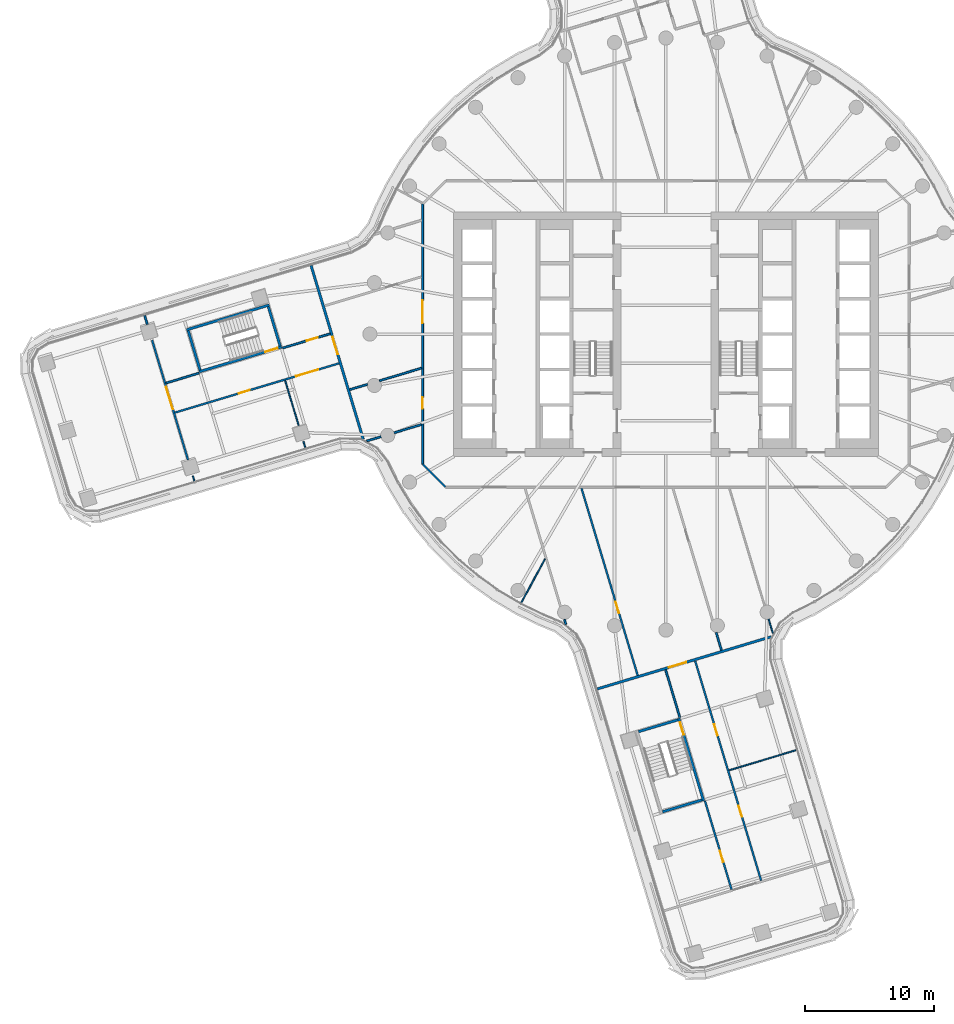
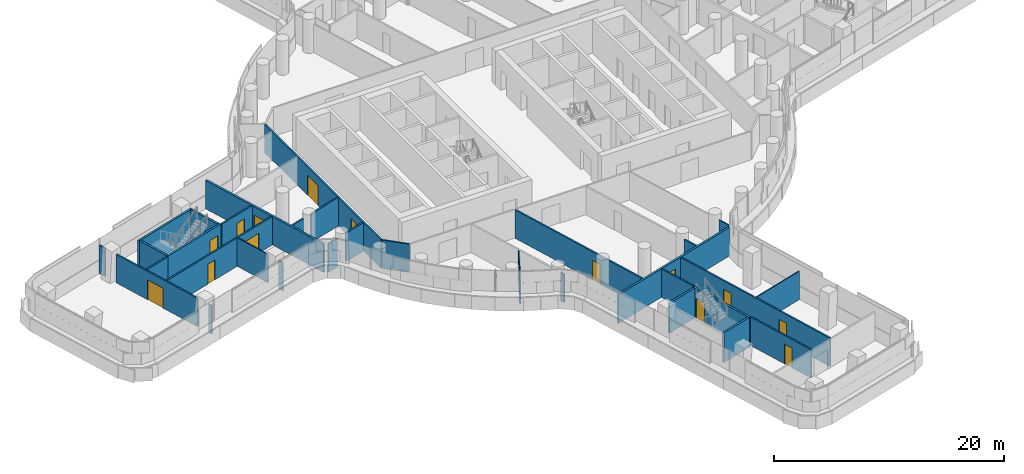
# One storey, part 18 of 32: 32 walls, 14 doors, 14 openings.
"""IFC4 building model written with IfcOpenShell, lengths in metres."""

import ifcopenshell
import ifcopenshell.guid

model = None  # the IFC model being written
_history = None  # IfcOwnerHistory: only IFC2X3 demands one
_inside = {}  # id of a spatial element -> (the spatial element, [elements in it])
_under = {}  # id of a project, library or spatial element -> (it, [spatial elements below it])
_declared = {}  # id of a project -> (the project, [libraries it declares])
_typed = {}  # id of a type object -> (the type object, [elements of that type])
_made_of = {}  # id of a material, layer set ... -> (it, [elements and type objects made of it])


def new_model(schema):
    """Start an empty IFC model of exactly this schema.

    Asked for "IFC4X3", IfcOpenShell would pick the latest addendum, in which some entities
    have other attributes; the version numbers below select the first issue.
    IFC2X3 requires an IfcOwnerHistory on every rooted entity: one is made here for all.
    """
    global model, _history
    if schema == "IFC4X3":
        model = ifcopenshell.file(schema_version=(4, 3, 0, 0))
    else:
        model = ifcopenshell.file(schema=schema)
    _inside.clear()
    _under.clear()
    _declared.clear()
    _typed.clear()
    _made_of.clear()
    _history = None
    if model.schema == "IFC2X3":
        org = make("IfcOrganization", Name="unknown")
        user = make(
            "IfcPersonAndOrganization",
            ThePerson=make("IfcPerson", FamilyName="unknown"),
            TheOrganization=org,
        )
        app = make(
            "IfcApplication",
            ApplicationDeveloper=org,
            Version="unknown",
            ApplicationFullName="unknown",
            ApplicationIdentifier="unknown",
        )
        _history = make(
            "IfcOwnerHistory",
            OwningUser=user,
            OwningApplication=app,
            ChangeAction="ADDED",
            CreationDate=0,
        )
    return model


def make(cls, **values):
    """One entity of the class cls with the attributes given. An attribute that is None is left unset."""
    return model.create_entity(
        cls, **{name: value for name, value in values.items() if value is not None}
    )


def rooted(cls, **values):
    """An entity with a GlobalId (a new one), such as an element, a storey or a relation."""
    return make(cls, GlobalId=ifcopenshell.guid.new(), OwnerHistory=_history, **values)


def si_unit(unit_type, name, prefix=None):
    """IfcSIUnit, for example si_unit("LENGTHUNIT", "METRE", prefix="MILLI")."""
    return make("IfcSIUnit", UnitType=unit_type, Prefix=prefix, Name=name)


def assignment(units):
    """IfcUnitAssignment: the units of a project."""
    return None if units is None else make("IfcUnitAssignment", Units=units)


def point(xyz):
    """IfcCartesianPoint."""
    return None if xyz is None else make("IfcCartesianPoint", Coordinates=xyz)


def direction(xyz):
    """IfcDirection."""
    return None if xyz is None else make("IfcDirection", DirectionRatios=xyz)


def frame(location, z_axis=None, x_axis=None):
    """IfcAxis2Placement3D, a coordinate frame: its origin and axes. An axis left out is left unset."""
    return make(
        "IfcAxis2Placement3D",
        Location=point(location),
        Axis=direction(z_axis),
        RefDirection=direction(x_axis),
    )


def frame_2d(location, x_axis=None):
    """IfcAxis2Placement2D, a coordinate frame in the plane: its origin and x axis."""
    return make(
        "IfcAxis2Placement2D", Location=point(location), RefDirection=direction(x_axis)
    )


def origin():
    """The frame at (0, 0, 0) with its axes left unset."""
    return frame((0.0, 0.0, 0.0))


def place(relative_to, where):
    """IfcLocalPlacement: puts the frame where relative to a parent placement (None: the world)."""
    return make(
        "IfcLocalPlacement", PlacementRelTo=relative_to, RelativePlacement=where
    )


def context(
    kind, dimensions, precision=None, world=None, true_north=None, identifier=None
):
    """IfcGeometricRepresentationContext, for example the 3D "Model" context."""
    return make(
        "IfcGeometricRepresentationContext",
        ContextIdentifier=identifier,
        ContextType=kind,
        CoordinateSpaceDimension=dimensions,
        Precision=precision,
        WorldCoordinateSystem=world,
        TrueNorth=true_north,
    )


def subcontext(parent, identifier, kind, view, scale=None):
    """IfcGeometricRepresentationSubContext, for example "Body" below "Model"."""
    return make(
        "IfcGeometricRepresentationSubContext",
        ContextIdentifier=identifier,
        ContextType=kind,
        ParentContext=parent,
        TargetScale=scale,
        TargetView=view,
    )


def project(units=None, contexts=None):
    """IfcProject with its units and contexts."""
    return rooted(
        "IfcProject",
        Name="project",
        RepresentationContexts=contexts,
        UnitsInContext=assignment(units),
    )


def spatial(cls, under=None, at=None, **own):
    """A site, building, storey or space (cls), placed at a placement, below another one or the project."""
    s = rooted(cls, ObjectPlacement=at, **own)
    if under is not None:
        _under.setdefault(under.id(), (under, []))[1].append(s)
    return s


def polyline(points):
    """IfcPolyline through the points."""
    return make("IfcPolyline", Points=[point(p) for p in points])


def profile(cls, at=None, kind="AREA", **sizes):
    """A parametric profile (cls). Its sizes go by their IFC names, for example OverallWidth=200.0."""
    return make(cls, ProfileType=kind, Position=at, **sizes)


def rectangle(**sizes):
    """IfcRectangleProfileDef."""
    return profile("IfcRectangleProfileDef", **sizes)


def outline(outer, holes=None, kind="AREA"):
    """IfcArbitraryClosedProfileDef: a profile drawn as a closed curve; with holes, ...WithVoids."""
    if holes is None:
        return make("IfcArbitraryClosedProfileDef", ProfileType=kind, OuterCurve=outer)
    return make(
        "IfcArbitraryProfileDefWithVoids",
        ProfileType=kind,
        OuterCurve=outer,
        InnerCurves=holes,
    )


def extrude(swept, where, along, depth):
    """IfcExtrudedAreaSolid: the profile swept, set in the frame where, extruded along a direction by depth."""
    return make(
        "IfcExtrudedAreaSolid",
        SweptArea=swept,
        Position=where,
        ExtrudedDirection=direction(along),
        Depth=depth,
    )


def shape(context_of_items, identifier, shape_type, items):
    """IfcShapeRepresentation: the items that make up one representation, for example the "Body"."""
    return make(
        "IfcShapeRepresentation",
        ContextOfItems=context_of_items,
        RepresentationIdentifier=identifier,
        RepresentationType=shape_type,
        Items=items,
    )


def material(Name=None, Category=None):
    """IfcMaterial."""
    return make("IfcMaterial", Name=Name, Category=Category)


def layer(
    of_material, thickness, ventilated=None, Name=None, Category=None, Priority=None
):
    """IfcMaterialLayer: one layer of a wall or slab, of a material (None: an air gap)."""
    return make(
        "IfcMaterialLayer",
        Material=of_material,
        LayerThickness=thickness,
        IsVentilated=ventilated,
        Name=Name,
        Category=Category,
        Priority=Priority,
    )


def layer_set(layers, Name=None):
    """IfcMaterialLayerSet."""
    return make("IfcMaterialLayerSet", MaterialLayers=layers, LayerSetName=Name)


def made_of(thing, what):
    """Note that an element or type object is made of a material, layer set ...; save() writes the relation."""
    if what is not None:
        _made_of.setdefault(what.id(), (what, []))[1].append(thing)
    return thing


def type_object(cls, material=None, **own):
    """A type object (cls), such as IfcWallType, which elements share."""
    return made_of(rooted(cls, **own), material)


def element(
    cls,
    number,
    at=None,
    inside=None,
    cuts=None,
    type_object=None,
    material=None,
    context=None,
    identifier="Body",
    shape_type=None,
    held_by="IfcProductDefinitionShape",
    body=None,
    shapes=None,
    **own,
):
    """One element of the class cls, such as IfcWall. Its Tag is "e" and its number.

    at: its placement. inside: the storey or other place that contains it. cuts: it is an
    opening in that element (IfcRelVoidsElement). A single representation is given by context,
    identifier, shape_type and body (its items); several are given by shapes. held_by: the class
    of the entity that holds the representations. save() writes the other relations.
    """
    e = rooted(cls, Tag="e%d" % number, ObjectPlacement=at, **own)
    if body is not None:
        shapes = [shape(context, identifier, shape_type, body)]
    if shapes is not None:
        e.Representation = make(held_by, Representations=shapes)
    if inside is not None:
        _inside.setdefault(inside.id(), (inside, []))[1].append(e)
    if cuts is not None:
        rooted(
            "IfcRelVoidsElement", RelatingBuildingElement=cuts, RelatedOpeningElement=e
        )
    if type_object is not None:
        _typed.setdefault(type_object.id(), (type_object, []))[1].append(e)
    return made_of(e, material)


def fill(opening, filler):
    """IfcRelFillsElement: the door or window that sits in an opening."""
    return rooted(
        "IfcRelFillsElement",
        RelatingOpeningElement=opening,
        RelatedBuildingElement=filler,
    )


def aggregate(whole, parts):
    """IfcRelAggregates: a whole, such as a stair, and the parts it consists of."""
    return rooted("IfcRelAggregates", RelatingObject=whole, RelatedObjects=parts)


def save(model, path):
    """Write the relations noted so far, then the file.

    IfcRelAggregates (storeys below a building ...), IfcRelContainedInSpatialStructure (elements
    in a storey), IfcRelDefinesByType, IfcRelAssociatesMaterial and IfcRelDeclares: one each for
    every whole, place, type object, material and project.
    """
    for whole, parts in _under.values():
        aggregate(whole, parts)
    for where, things in _inside.values():
        rooted(
            "IfcRelContainedInSpatialStructure",
            RelatedElements=things,
            RelatingStructure=where,
        )
    for kind, things in _typed.values():
        rooted("IfcRelDefinesByType", RelatedObjects=things, RelatingType=kind)
    for what, things in _made_of.values():
        rooted("IfcRelAssociatesMaterial", RelatedObjects=things, RelatingMaterial=what)
    for by, libraries in _declared.values():
        rooted("IfcRelDeclares", RelatingContext=by, RelatedDefinitions=libraries)
    model.write(path)


model = new_model("IFC4")

# Units and contexts
model_context = context("Model", 3, precision=1e-05, world=origin(), true_north=direction((0.0, 1.0)))
body_context = subcontext(model_context, "Body", "Model", "MODEL_VIEW")
ifc_project = project(units=[si_unit("LENGTHUNIT", "METRE"), si_unit("AREAUNIT", "SQUARE_METRE"), si_unit("VOLUMEUNIT", "CUBIC_METRE"), si_unit("PLANEANGLEUNIT", "RADIAN"), si_unit("MASSUNIT", "GRAM", prefix="KILO")], contexts=[model_context])

# Site, building, storey
site_placement = place(None, origin())
site = spatial("IfcSite", under=ifc_project, at=site_placement, CompositionType="ELEMENT")
building_placement = place(site_placement, origin())
building = spatial("IfcBuilding", under=site, at=building_placement, Name="Tamarind Cross Interchange Tower", CompositionType="ELEMENT")
storey_placement = place(building_placement, frame((0.0, 0.0, 94.75)))
storey = spatial("IfcBuildingStorey", under=building, at=storey_placement, Name="L22", CompositionType="ELEMENT", Elevation=94.75)

# Walls
ifc_material_1 = material(Name="Gypsum board partition on steel studs", Category="steel")
ifc_layer_1 = layer(ifc_material_1, 0.10009765625)
ifc_layer_set_1 = layer_set([ifc_layer_1], Name="Gypsum board partition on steel studs")
wall_type_1 = type_object("IfcWallType", Name="Partition 100 mm EI 90", PredefinedType="PARTITIONING", material=ifc_layer_set_1)
wall_1_placement = place(storey_placement, frame((-36.756103515625, -11.01318359375, 0.0), z_axis=(0.0, 0.0, 1.0), x_axis=(0.287623316903, -0.957743612651, 0.0)))
element("IfcWall", 1, at=wall_1_placement, inside=storey, type_object=wall_type_1, Name="Partition L22-003", PredefinedType="PARTITIONING", context=body_context, shape_type="SweptSolid", body=[
    extrude(rectangle(XDim=0.406494140625, YDim=0.10009765625, at=frame_2d((0.203125, 0.0))), origin(), (0.0, 0.0, 1.0), 3.010009765625),
])
wall_2_placement = place(storey_placement, frame((-29.58251953125, -3.60888671875, 0.0), z_axis=(0.0, 0.0, 1.0), x_axis=(0.28774049109, -0.957708415849, 0.0)))
element("IfcWall", 2, at=wall_2_placement, inside=storey, type_object=wall_type_1, Name="Partition L22-004", PredefinedType="PARTITIONING", context=body_context, shape_type="SweptSolid", body=[
    extrude(rectangle(XDim=3.65087890625, YDim=0.10009765625, at=frame_2d((1.825439453125, 0.0))), origin(), (0.0, 0.0, 1.0), 3.010009765625),
])
wall_3_placement = place(storey_placement, frame((-28.15966796875, -8.345703125, 0.0), z_axis=(0.0, 0.0, 1.0), x_axis=(0.287884112335, -0.957665253554, 0.0)))
element("IfcWall", 3, at=wall_3_placement, inside=storey, type_object=wall_type_1, Name="Partition L22-005", PredefinedType="PARTITIONING", context=body_context, shape_type="SweptSolid", body=[
    extrude(rectangle(XDim=0.501220703125, YDim=0.10009765625, at=frame_2d((0.25048828125, 0.0))), origin(), (0.0, 0.0, 1.0), 3.010009765625),
])
wall_4_placement = place(storey_placement, frame((7.978271484375, -22.14306640625, 0.0), z_axis=(0.0, 0.0, 1.0), x_axis=(0.287640433477, -0.957738472146, 0.0)))
element("IfcWall", 4, at=wall_4_placement, inside=storey, type_object=wall_type_1, Name="Partition L22-026", PredefinedType="PARTITIONING", context=body_context, shape_type="SweptSolid", body=[
    extrude(rectangle(XDim=1.1484375, YDim=0.10009765625, at=frame_2d((0.57421875, 0.0))), origin(), (0.0, 0.0, 1.0), 3.010009765625),
])
wall_5_placement = place(storey_placement, frame((4.90283203125, -33.892333984375, 0.0), z_axis=(0.0, 0.0, 1.0), x_axis=(0.957737328028, 0.287644242949, 0.0)))
element("IfcWall", 5, at=wall_5_placement, inside=storey, type_object=wall_type_1, Name="Partition L22-067", PredefinedType="PARTITIONING", context=body_context, shape_type="SweptSolid", body=[
    extrude(rectangle(XDim=5.44140625, YDim=0.10009765625, at=frame_2d((2.720703125, 0.0))), origin(), (0.0, 0.0, 1.0), 3.010009765625),
])
wall_6_placement = place(storey_placement, frame((-11.2265625, -20.8642578125, 0.0), z_axis=(0.0, 0.0, 1.0), x_axis=(0.473926336856, 0.880564493512, 0.0)))
element("IfcWall", 6, at=wall_6_placement, inside=storey, type_object=wall_type_1, Name="Partition L22-079", PredefinedType="PARTITIONING", context=body_context, shape_type="SweptSolid", body=[
    extrude(rectangle(XDim=3.860595703125, YDim=0.10009765625, at=frame_2d((1.93017578125, 0.0))), origin(), (0.0, 0.0, 1.0), 3.010009765625),
])
ifc_layer_2 = layer(ifc_material_1, 0.14990234375)
ifc_layer_set_2 = layer_set([ifc_layer_2], Name="Gypsum board partition on steel studs")
wall_type_2 = type_object("IfcWallType", Name="Partition 150 mm EI 120", PredefinedType="PARTITIONING", material=ifc_layer_set_2)
wall_7_placement = place(storey_placement, frame((-40.49560546875, 1.439697265625, 0.0), z_axis=(0.0, 0.0, 1.0), x_axis=(0.28766279942, -0.957731754632, 0.0)))
element("IfcWall", 7, at=wall_7_placement, inside=storey, type_object=wall_type_2, Name="Partition L22-001", PredefinedType="PARTITIONING", context=body_context, shape_type="SweptSolid", body=[
    extrude(rectangle(XDim=0.711181640625, YDim=0.14990234375, at=frame_2d((0.35546875, 0.0))), origin(), (0.0, 0.0, 1.0), 3.010009765625),
])

# Wall, opening, door
wall_8_placement = place(storey_placement, frame((-39.918701171875, -0.481689453125, 0.0), z_axis=(0.0, 0.0, 1.0), x_axis=(0.287622622208, -0.957743821277, 0.0)))
wall_8 = element("IfcWall", 8, at=wall_8_placement, inside=storey, type_object=wall_type_2, Name="Partition L22-002", PredefinedType="PARTITIONING", context=body_context, shape_type="SweptSolid", body=[
    extrude(rectangle(XDim=9.701171875, YDim=0.14990234375, at=frame_2d((4.8505859375, 0.0))), origin(), (0.0, 0.0, 1.0), 3.010009765625),
])
opening_1_placement = place(wall_8_placement, frame((3.79296875, 0.0, 0.0)))
opening_1 = element("IfcOpeningElement", 9, at=opening_1_placement, cuts=wall_8, Name="Opening D01", PredefinedType="OPENING", context=body_context, shape_type="SweptSolid", body=[
    extrude(rectangle(XDim=1.800048828125, YDim=2.10009765625, at=frame_2d((0.89990234375, 1.050048828125))), frame((0.0, 0.0849609375, 0.0), z_axis=(0.0, -1.0, 0.0), x_axis=(1.0, 0.0, 0.0)), (0.0, 0.0, 1.0), 0.169921875),
])
ifc_material_2 = material(Name="Fire-resisting door set")
door_type_1 = type_object("IfcDoorType", Name="Interior door 1800 x 2100 FD60S", OperationType="DOUBLE_DOOR_SINGLE_SWING", PredefinedType="DOOR", material=ifc_material_2)
door_1_placement = place(opening_1_placement, frame((1.800048828125, 0.0, 0.0), z_axis=(0.0, 0.0, 1.0), x_axis=(-1.0, 0.0, 0.0)))
door_1 = element("IfcDoor", 10, at=door_1_placement, inside=storey, type_object=door_type_1, Name="Door D01", OperationType="DOUBLE_DOOR_SINGLE_SWING", OverallHeight=2.10009765625, OverallWidth=1.800048828125, PredefinedType="DOOR", context=body_context, shape_type="SweptSolid", body=[
    extrude(rectangle(XDim=1.800048828125, YDim=2.10009765625, at=frame_2d((0.89990234375, 1.050048828125))), frame((0.0, 0.02490234375, 0.0), z_axis=(0.0, -1.0, 0.0), x_axis=(1.0, 0.0, 0.0)), (0.0, 0.0, 1.0), 0.050048828125),
])
fill(opening_1, door_1)

# Wall
wall_9_placement = place(storey_placement, frame((-7.884521484375, -22.168212890625, 0.0), z_axis=(0.0, 0.0, 1.0), x_axis=(0.288066561197, -0.957610388582, 0.0)))
element("IfcWall", 11, at=wall_9_placement, inside=storey, type_object=wall_type_2, Name="Partition L22-008", PredefinedType="PARTITIONING", context=body_context, shape_type="SweptSolid", body=[
    extrude(rectangle(XDim=0.405029296875, YDim=0.14990234375, at=frame_2d((0.20263671875, 0.0))), origin(), (0.0, 0.0, 1.0), 3.010009765625),
])

# Wall, opening, door
wall_10_placement = place(storey_placement, frame((-6.56005859375, -11.9765625, 0.0), z_axis=(0.0, 0.0, 1.0), x_axis=(0.28763547446, -0.957739961489, 0.0)))
wall_10 = element("IfcWall", 12, at=wall_10_placement, inside=storey, type_object=wall_type_2, Name="Partition L22-013", PredefinedType="PARTITIONING", context=body_context, shape_type="SweptSolid", body=[
    extrude(rectangle(XDim=15.1865234375, YDim=0.14990234375, at=frame_2d((7.59326171875, 0.0))), origin(), (0.0, 0.0, 1.0), 3.010009765625),
])
opening_2_placement = place(wall_10_placement, frame((9.219970703125, 0.0, 0.0)))
opening_2 = element("IfcOpeningElement", 13, at=opening_2_placement, cuts=wall_10, Name="Opening D08", PredefinedType="OPENING", context=body_context, shape_type="SweptSolid", body=[
    extrude(rectangle(XDim=0.89990234375, YDim=2.10009765625, at=frame_2d((0.449951171875, 1.050048828125))), frame((0.0, 0.0849609375, 0.0), z_axis=(0.0, -1.0, 0.0), x_axis=(1.0, 0.0, 0.0)), (0.0, 0.0, 1.0), 0.169921875),
])
door_type_2 = type_object("IfcDoorType", Name="Interior door 900 x 2100 FD60S", OperationType="SINGLE_SWING_LEFT", PredefinedType="DOOR", material=ifc_material_2)
door_2_placement = place(opening_2_placement, frame((0.89990234375, 0.0, 0.0), z_axis=(0.0, 0.0, 1.0), x_axis=(-1.0, 0.0, 0.0)))
door_2 = element("IfcDoor", 14, at=door_2_placement, inside=storey, type_object=door_type_2, Name="Door D08", OperationType="SINGLE_SWING_RIGHT", OverallHeight=2.10009765625, OverallWidth=0.89990234375, PredefinedType="DOOR", context=body_context, shape_type="SweptSolid", body=[
    extrude(rectangle(XDim=0.89990234375, YDim=2.10009765625, at=frame_2d((0.449951171875, 1.050048828125))), frame((0.0, 0.02490234375, 0.0), z_axis=(0.0, -1.0, 0.0), x_axis=(1.0, 0.0, 0.0)), (0.0, 0.0, 1.0), 0.050048828125),
])
fill(opening_2, door_2)

# Wall
wall_11_placement = place(storey_placement, frame((-0.027099609375, -26.080810546875, 0.0), z_axis=(0.0, 0.0, 1.0), x_axis=(0.287580023967, -0.957756613036, 0.0)))
element("IfcWall", 15, at=wall_11_placement, inside=storey, type_object=wall_type_2, Name="Partition L22-018", PredefinedType="PARTITIONING", context=body_context, shape_type="SweptSolid", body=[
    extrude(rectangle(XDim=3.859375, YDim=0.14990234375, at=frame_2d((1.9296875, 0.0))), origin(), (0.0, 0.0, 1.0), 3.010009765625),
])

# Wall, opening, door
wall_12_placement = place(storey_placement, frame((3.03271484375, -36.270751953125, 0.0), z_axis=(0.0, 0.0, 1.0), x_axis=(0.287562973768, -0.957761732435, 0.0)))
wall_12 = element("IfcWall", 16, at=wall_12_placement, inside=storey, type_object=wall_type_2, Name="Partition L22-019", PredefinedType="PARTITIONING", context=body_context, shape_type="SweptSolid", body=[
    extrude(rectangle(XDim=7.18505859375, YDim=0.14990234375, at=frame_2d((3.592529296875, 0.0))), origin(), (0.0, 0.0, 1.0), 3.010009765625),
])
opening_3_placement = place(wall_12_placement, frame((4.050048828125, 0.0, 0.0)))
opening_3 = element("IfcOpeningElement", 17, at=opening_3_placement, cuts=wall_12, Name="Opening D14", PredefinedType="OPENING", context=body_context, shape_type="SweptSolid", body=[
    extrude(rectangle(XDim=0.89990234375, YDim=2.10009765625, at=frame_2d((0.449951171875, 1.050048828125))), frame((0.0, 0.0849609375, 0.0), z_axis=(0.0, -1.0, 0.0), x_axis=(1.0, 0.0, 0.0)), (0.0, 0.0, 1.0), 0.169921875),
])
door_3_placement = place(opening_3_placement, frame((0.89990234375, 0.0, 0.0), z_axis=(0.0, 0.0, 1.0), x_axis=(-1.0, 0.0, 0.0)))
door_3 = element("IfcDoor", 18, at=door_3_placement, inside=storey, type_object=door_type_2, Name="Door D14", OperationType="SINGLE_SWING_RIGHT", OverallHeight=2.10009765625, OverallWidth=0.89990234375, PredefinedType="DOOR", context=body_context, shape_type="SweptSolid", body=[
    extrude(rectangle(XDim=0.89990234375, YDim=2.10009765625, at=frame_2d((0.449951171875, 1.050048828125))), frame((0.0, 0.02490234375, 0.0), z_axis=(0.0, -1.0, 0.0), x_axis=(1.0, 0.0, 0.0)), (0.0, 0.0, 1.0), 0.050048828125),
])
fill(opening_3, door_3)

# Wall
wall_13_placement = place(storey_placement, frame((3.906494140625, -23.18701171875, 0.0), z_axis=(0.0, 0.0, 1.0), x_axis=(0.287581360313, -0.957756211779, 0.0)))
element("IfcWall", 19, at=wall_13_placement, inside=storey, type_object=wall_type_2, Name="Partition L22-021", PredefinedType="PARTITIONING", context=body_context, shape_type="SweptSolid", body=[
    extrude(rectangle(XDim=1.43896484375, YDim=0.14990234375, at=frame_2d((0.719482421875, 0.0))), origin(), (0.0, 0.0, 1.0), 3.010009765625),
])

# Wall, openings, doors
wall_14_placement = place(storey_placement, frame((2.272216796875, -25.39453125, 0.0), z_axis=(0.0, 0.0, 1.0), x_axis=(0.287649599152, -0.957735719344, 0.0)))
wall_14 = element("IfcWall", 20, at=wall_14_placement, inside=storey, type_object=wall_type_2, Name="Partition L22-023", PredefinedType="PARTITIONING", context=body_context, shape_type="SweptSolid", body=[
    extrude(rectangle(XDim=17.81591796875, YDim=0.14990234375, at=frame_2d((8.907958984375, 0.0))), origin(), (0.0, 0.0, 1.0), 3.010009765625),
])
opening_4_placement = place(wall_14_placement, frame((5.14501953125, 0.0, 0.0)))
opening_4 = element("IfcOpeningElement", 21, at=opening_4_placement, cuts=wall_14, Name="Opening D17", PredefinedType="OPENING", context=body_context, shape_type="SweptSolid", body=[
    extrude(rectangle(XDim=0.89990234375, YDim=2.10009765625, at=frame_2d((0.449951171875, 1.050048828125))), frame((0.0, 0.0849609375, 0.0), z_axis=(0.0, -1.0, 0.0), x_axis=(1.0, 0.0, 0.0)), (0.0, 0.0, 1.0), 0.169921875),
])
opening_5_placement = place(wall_14_placement, frame((11.745361328125, 0.0, 0.0)))
opening_5 = element("IfcOpeningElement", 22, at=opening_5_placement, cuts=wall_14, Name="Opening D18", PredefinedType="OPENING", context=body_context, shape_type="SweptSolid", body=[
    extrude(rectangle(XDim=0.89990234375, YDim=2.10009765625, at=frame_2d((0.449951171875, 1.050048828125))), frame((0.0, 0.0849609375, 0.0), z_axis=(0.0, -1.0, 0.0), x_axis=(1.0, 0.0, 0.0)), (0.0, 0.0, 1.0), 0.169921875),
])
door_4_placement = place(opening_4_placement, origin())
door_4 = element("IfcDoor", 23, at=door_4_placement, inside=storey, type_object=door_type_2, Name="Door D17", OperationType="SINGLE_SWING_RIGHT", OverallHeight=2.10009765625, OverallWidth=0.89990234375, PredefinedType="DOOR", context=body_context, shape_type="SweptSolid", body=[
    extrude(rectangle(XDim=0.89990234375, YDim=2.10009765625, at=frame_2d((0.449951171875, 1.050048828125))), frame((0.0, 0.02490234375, 0.0), z_axis=(0.0, -1.0, 0.0), x_axis=(1.0, 0.0, 0.0)), (0.0, 0.0, 1.0), 0.050048828125),
])
fill(opening_4, door_4)
door_5_placement = place(opening_5_placement, origin())
door_5 = element("IfcDoor", 24, at=door_5_placement, inside=storey, type_object=door_type_2, Name="Door D18", OperationType="SINGLE_SWING_LEFT", OverallHeight=2.10009765625, OverallWidth=0.89990234375, PredefinedType="DOOR", context=body_context, shape_type="SweptSolid", body=[
    extrude(rectangle(XDim=0.89990234375, YDim=2.10009765625, at=frame_2d((0.449951171875, 1.050048828125))), frame((0.0, 0.02490234375, 0.0), z_axis=(0.0, -1.0, 0.0), x_axis=(1.0, 0.0, 0.0)), (0.0, 0.0, 1.0), 0.050048828125),
])
fill(opening_5, door_5)

# Walls
wall_15_placement = place(storey_placement, frame((-18.87158203125, -10.12841796875, 0.0), z_axis=(0.0, 0.0, 1.0), x_axis=(0.707106781187, -0.707106781187, 0.0)))
element("IfcWall", 25, at=wall_15_placement, inside=storey, type_object=wall_type_2, Name="Partition L22-034", PredefinedType="PARTITIONING", context=body_context, shape_type="SweptSolid", body=[
    extrude(rectangle(XDim=2.465087890625, YDim=0.14990234375, at=frame_2d((1.232421875, 0.0))), origin(), (0.0, 0.0, 1.0), 3.010009765625),
])
wall_16_placement = place(storey_placement, frame((-38.84228515625, -3.805419921875, 0.0), z_axis=(0.0, 0.0, 1.0), x_axis=(0.957756189598, 0.287581434184, 0.0)))
element("IfcWall", 26, at=wall_16_placement, inside=storey, type_object=wall_type_2, Name="Partition L22-040", PredefinedType="PARTITIONING", context=body_context, shape_type="SweptSolid", body=[
    extrude(rectangle(XDim=2.685302734375, YDim=0.14990234375, at=frame_2d((1.3427734375, 0.0))), origin(), (0.0, 0.0, 1.0), 3.010009765625),
])

# Wall, opening, door
wall_17_placement = place(storey_placement, frame((-29.777099609375, -1.0830078125, 0.0), z_axis=(0.0, 0.0, 1.0), x_axis=(0.957739187784, 0.287638050651, 0.0)))
wall_17 = element("IfcWall", 27, at=wall_17_placement, inside=storey, type_object=wall_type_2, Name="Partition L22-041", PredefinedType="PARTITIONING", context=body_context, shape_type="SweptSolid", body=[
    extrude(rectangle(XDim=3.859375, YDim=0.14990234375, at=frame_2d((1.9296875, 0.0))), origin(), (0.0, 0.0, 1.0), 3.010009765625),
])
opening_6_placement = place(wall_17_placement, frame((1.949951171875, 0.0, 0.0)))
opening_6 = element("IfcOpeningElement", 28, at=opening_6_placement, cuts=wall_17, Name="Opening D28", PredefinedType="OPENING", context=body_context, shape_type="SweptSolid", body=[
    extrude(rectangle(XDim=0.89990234375, YDim=2.10009765625, at=frame_2d((0.449951171875, 1.050048828125))), frame((0.0, 0.0849609375, 0.0), z_axis=(0.0, -1.0, 0.0), x_axis=(1.0, 0.0, 0.0)), (0.0, 0.0, 1.0), 0.169921875),
])
door_6_placement = place(opening_6_placement, origin())
door_6 = element("IfcDoor", 29, at=door_6_placement, inside=storey, type_object=door_type_2, Name="Door D28", OperationType="SINGLE_SWING_LEFT", OverallHeight=2.10009765625, OverallWidth=0.89990234375, PredefinedType="DOOR", context=body_context, shape_type="SweptSolid", body=[
    extrude(rectangle(XDim=0.89990234375, YDim=2.10009765625, at=frame_2d((0.449951171875, 1.050048828125))), frame((0.0, 0.02490234375, 0.0), z_axis=(0.0, -1.0, 0.0), x_axis=(1.0, 0.0, 0.0)), (0.0, 0.0, 1.0), 0.050048828125),
])
fill(opening_6, door_6)

# Wall, openings, doors
wall_18_placement = place(storey_placement, frame((-38.152099609375, -6.103515625, 0.0), z_axis=(0.0, 0.0, 1.0), x_axis=(0.957764720452, 0.287553021647, 0.0)))
wall_18 = element("IfcWall", 30, at=wall_18_placement, inside=storey, type_object=wall_type_2, Name="Partition L22-042", PredefinedType="PARTITIONING", context=body_context, shape_type="SweptSolid", body=[
    extrude(rectangle(XDim=13.3203125, YDim=0.14990234375, at=frame_2d((6.66015625, 0.0))), origin(), (0.0, 0.0, 1.0), 3.010009765625),
])
opening_7_placement = place(wall_18_placement, frame((5.175048828125, 0.0, 0.0)))
opening_7 = element("IfcOpeningElement", 31, at=opening_7_placement, cuts=wall_18, Name="Opening D29", PredefinedType="OPENING", context=body_context, shape_type="SweptSolid", body=[
    extrude(rectangle(XDim=0.89990234375, YDim=2.10009765625, at=frame_2d((0.449951171875, 1.050048828125))), frame((0.0, 0.0849609375, 0.0), z_axis=(0.0, -1.0, 0.0), x_axis=(1.0, 0.0, 0.0)), (0.0, 0.0, 1.0), 0.169921875),
])
opening_8_placement = place(wall_18_placement, frame((9.8251953125, 0.0, 0.0)))
opening_8 = element("IfcOpeningElement", 32, at=opening_8_placement, cuts=wall_18, Name="Opening D30", PredefinedType="OPENING", context=body_context, shape_type="SweptSolid", body=[
    extrude(rectangle(XDim=1.800048828125, YDim=2.10009765625, at=frame_2d((0.89990234375, 1.050048828125))), frame((0.0, 0.0849609375, 0.0), z_axis=(0.0, -1.0, 0.0), x_axis=(1.0, 0.0, 0.0)), (0.0, 0.0, 1.0), 0.169921875),
])
door_7_placement = place(opening_8_placement, frame((1.800048828125, 0.0, 0.0), z_axis=(0.0, 0.0, 1.0), x_axis=(-1.0, 0.0, 0.0)))
door_7 = element("IfcDoor", 33, at=door_7_placement, inside=storey, type_object=door_type_1, Name="Door D30", OperationType="DOUBLE_DOOR_SINGLE_SWING", OverallHeight=2.10009765625, OverallWidth=1.800048828125, PredefinedType="DOOR", context=body_context, shape_type="SweptSolid", body=[
    extrude(rectangle(XDim=1.800048828125, YDim=2.10009765625, at=frame_2d((0.89990234375, 1.050048828125))), frame((0.0, 0.02490234375, 0.0), z_axis=(0.0, -1.0, 0.0), x_axis=(1.0, 0.0, 0.0)), (0.0, 0.0, 1.0), 0.050048828125),
])
fill(opening_8, door_7)
door_8_placement = place(opening_7_placement, frame((0.89990234375, 0.0, 0.0), z_axis=(0.0, 0.0, 1.0), x_axis=(-1.0, 0.0, 0.0)))
door_8 = element("IfcDoor", 34, at=door_8_placement, inside=storey, type_object=door_type_2, Name="Door D29", OperationType="SINGLE_SWING_LEFT", OverallHeight=2.10009765625, OverallWidth=0.89990234375, PredefinedType="DOOR", context=body_context, shape_type="SweptSolid", body=[
    extrude(rectangle(XDim=0.89990234375, YDim=2.10009765625, at=frame_2d((0.449951171875, 1.050048828125))), frame((0.0, 0.02490234375, 0.0), z_axis=(0.0, -1.0, 0.0), x_axis=(1.0, 0.0, 0.0)), (0.0, 0.0, 1.0), 0.050048828125),
])
fill(opening_7, door_8)

# Walls
wall_19_placement = place(storey_placement, frame((-24.565185546875, -4.3203125, 0.0), z_axis=(0.0, 0.0, 1.0), x_axis=(0.957756211779, 0.287581360313, 0.0)))
element("IfcWall", 35, at=wall_19_placement, inside=storey, type_object=wall_type_2, Name="Partition L22-044", PredefinedType="PARTITIONING", context=body_context, shape_type="SweptSolid", body=[
    extrude(rectangle(XDim=1.43896484375, YDim=0.14990234375, at=frame_2d((0.719482421875, 0.0))), origin(), (0.0, 0.0, 1.0), 3.010009765625),
])
wall_20_placement = place(storey_placement, frame((-22.25341796875, -3.6259765625, 0.0), z_axis=(0.0, 0.0, 1.0), x_axis=(0.957759484512, 0.287570460631, 0.0)))
element("IfcWall", 36, at=wall_20_placement, inside=storey, type_object=wall_type_2, Name="Partition L22-045", PredefinedType="PARTITIONING", context=body_context, shape_type="SweptSolid", body=[
    extrude(rectangle(XDim=3.42138671875, YDim=0.14990234375, at=frame_2d((1.710693359375, 0.0))), origin(), (0.0, 0.0, 1.0), 3.010009765625),
])
wall_21_placement = place(storey_placement, frame((-23.242919921875, -8.30859375, 0.0), z_axis=(0.0, 0.0, 1.0), x_axis=(0.957738472146, 0.287640433477, 0.0)))
element("IfcWall", 37, at=wall_21_placement, inside=storey, type_object=wall_type_2, Name="Partition L22-046", PredefinedType="PARTITIONING", context=body_context, shape_type="SweptSolid", body=[
    extrude(rectangle(XDim=1.1484375, YDim=0.14990234375, at=frame_2d((0.57421875, 0.0))), origin(), (0.0, 0.0, 1.0), 3.010009765625),
])
wall_22_placement = place(storey_placement, frame((-21.1064453125, -7.666748046875, 0.0), z_axis=(0.0, 0.0, 1.0), x_axis=(0.957741640757, 0.287629882942, 0.0)))
element("IfcWall", 38, at=wall_22_placement, inside=storey, type_object=wall_type_2, Name="Partition L22-047", PredefinedType="PARTITIONING", context=body_context, shape_type="SweptSolid", body=[
    extrude(rectangle(XDim=2.223876953125, YDim=0.14990234375, at=frame_2d((1.11181640625, 0.0))), origin(), (0.0, 0.0, 1.0), 3.010009765625),
])

# Wall, openings, doors
wall_23_placement = place(storey_placement, frame((-18.89990234375, -10.10009765625, 0.0), z_axis=(0.0, 0.0, 1.0), x_axis=(0.0, 1.0, 0.0)))
wall_23 = element("IfcWall", 39, at=wall_23_placement, inside=storey, type_object=wall_type_2, Name="Partition L22-081", PredefinedType="PARTITIONING", context=body_context, shape_type="SweptSolid", body=[
    extrude(rectangle(XDim=20.2001953125, YDim=0.14990234375, at=frame_2d((10.10009765625, 0.0))), origin(), (0.0, 0.0, 1.0), 3.010009765625),
])
opening_9_placement = place(wall_23_placement, frame((10.930908203125, 0.0, 0.0)))
opening_9 = element("IfcOpeningElement", 40, at=opening_9_placement, cuts=wall_23, Name="Opening D41", PredefinedType="OPENING", context=body_context, shape_type="SweptSolid", body=[
    extrude(rectangle(XDim=1.800048828125, YDim=2.10009765625, at=frame_2d((0.89990234375, 1.050048828125))), frame((0.0, 0.0849609375, 0.0), z_axis=(0.0, -1.0, 0.0), x_axis=(1.0, 0.0, 0.0)), (0.0, 0.0, 1.0), 0.169921875),
])
opening_10_placement = place(wall_23_placement, frame((4.2958984375, 0.0, 0.0)))
opening_10 = element("IfcOpeningElement", 41, at=opening_10_placement, cuts=wall_23, Name="Opening D42", PredefinedType="OPENING", context=body_context, shape_type="SweptSolid", body=[
    extrude(rectangle(XDim=0.89990234375, YDim=2.10009765625, at=frame_2d((0.449951171875, 1.050048828125))), frame((0.0, 0.0849609375, 0.0), z_axis=(0.0, -1.0, 0.0), x_axis=(1.0, 0.0, 0.0)), (0.0, 0.0, 1.0), 0.169921875),
])
door_9_placement = place(opening_9_placement, frame((1.800048828125, 0.0, 0.0), z_axis=(0.0, 0.0, 1.0), x_axis=(-1.0, 0.0, 0.0)))
door_9 = element("IfcDoor", 42, at=door_9_placement, inside=storey, type_object=door_type_1, Name="Door D41", OperationType="DOUBLE_DOOR_SINGLE_SWING", OverallHeight=2.10009765625, OverallWidth=1.800048828125, PredefinedType="DOOR", context=body_context, shape_type="SweptSolid", body=[
    extrude(rectangle(XDim=1.800048828125, YDim=2.10009765625, at=frame_2d((0.89990234375, 1.050048828125))), frame((0.0, 0.02490234375, 0.0), z_axis=(0.0, -1.0, 0.0), x_axis=(1.0, 0.0, 0.0)), (0.0, 0.0, 1.0), 0.050048828125),
])
fill(opening_9, door_9)
door_10_placement = place(opening_10_placement, origin())
door_10 = element("IfcDoor", 43, at=door_10_placement, inside=storey, type_object=door_type_2, Name="Door D42", OperationType="SINGLE_SWING_RIGHT", OverallHeight=2.10009765625, OverallWidth=0.89990234375, PredefinedType="DOOR", context=body_context, shape_type="SweptSolid", body=[
    extrude(rectangle(XDim=0.89990234375, YDim=2.10009765625, at=frame_2d((0.449951171875, 1.050048828125))), frame((0.0, 0.02490234375, 0.0), z_axis=(0.0, -1.0, 0.0), x_axis=(1.0, 0.0, 0.0)), (0.0, 0.0, 1.0), 0.050048828125),
])
fill(opening_10, door_10)

# Wall, opening, door
ifc_layer_3 = layer(ifc_material_1, 0.199951171875)
ifc_layer_set_3 = layer_set([ifc_layer_3], Name="Gypsum board partition on steel studs")
wall_type_3 = type_object("IfcWallType", Name="Partition 200 mm EI 180", PredefinedType="PARTITIONING", material=ifc_layer_set_3)
wall_24_placement = place(storey_placement, frame((-27.566650390625, 5.32275390625, 0.0), z_axis=(0.0, 0.0, 1.0), x_axis=(0.287621482127, -0.957744163657, 0.0)))
wall_24 = element("IfcWall", 44, at=wall_24_placement, inside=storey, type_object=wall_type_3, Name="Partition L22-006", PredefinedType="PARTITIONING", context=body_context, shape_type="SweptSolid", body=[
    extrude(rectangle(XDim=14.080322265625, YDim=0.199951171875, at=frame_2d((7.0400390625, 0.0))), origin(), (0.0, 0.0, 1.0), 3.010009765625),
])
opening_11_placement = place(wall_24_placement, frame((5.799072265625, 0.0, 0.0)))
opening_11 = element("IfcOpeningElement", 45, at=opening_11_placement, cuts=wall_24, Name="Opening D02", PredefinedType="OPENING", context=body_context, shape_type="SweptSolid", body=[
    extrude(rectangle(XDim=1.39990234375, YDim=2.10009765625, at=frame_2d((0.699951171875, 1.050048828125))), frame((0.0, 0.10986328125, 0.0), z_axis=(0.0, -1.0, 0.0), x_axis=(1.0, 0.0, 0.0)), (0.0, 0.0, 1.0), 0.219970703125),
])
door_type_3 = type_object("IfcDoorType", Name="Interior door 1400 x 2100 FD120S", OperationType="DOUBLE_DOOR_SINGLE_SWING", PredefinedType="DOOR", material=ifc_material_2)
door_11_placement = place(opening_11_placement, origin())
door_11 = element("IfcDoor", 46, at=door_11_placement, inside=storey, type_object=door_type_3, Name="Door D02", OperationType="DOUBLE_DOOR_SINGLE_SWING", OverallHeight=2.10009765625, OverallWidth=1.39990234375, PredefinedType="DOOR", context=body_context, shape_type="SweptSolid", body=[
    extrude(rectangle(XDim=1.39990234375, YDim=2.10009765625, at=frame_2d((0.699951171875, 1.050048828125))), frame((0.0, 0.02490234375, 0.0), z_axis=(0.0, -1.0, 0.0), x_axis=(1.0, 0.0, 0.0)), (0.0, 0.0, 1.0), 0.050048828125),
])
fill(opening_11, door_11)

wall_25_placement = place(storey_placement, frame((-5.32275390625, -27.566650390625, 0.0), z_axis=(0.0, 0.0, 1.0), x_axis=(0.957744163657, 0.287621482127, 0.0)))
wall_25 = element("IfcWall", 47, at=wall_25_placement, inside=storey, type_object=wall_type_3, Name="Partition L22-061", PredefinedType="PARTITIONING", context=body_context, shape_type="SweptSolid", body=[
    extrude(rectangle(XDim=14.080322265625, YDim=0.199951171875, at=frame_2d((7.0400390625, 0.0))), origin(), (0.0, 0.0, 1.0), 3.010009765625),
])
opening_12_placement = place(wall_25_placement, frame((5.799072265625, 0.0, 0.0)))
opening_12 = element("IfcOpeningElement", 48, at=opening_12_placement, cuts=wall_25, Name="Opening D35", PredefinedType="OPENING", context=body_context, shape_type="SweptSolid", body=[
    extrude(rectangle(XDim=1.39990234375, YDim=2.10009765625, at=frame_2d((0.699951171875, 1.050048828125))), frame((0.0, 0.10986328125, 0.0), z_axis=(0.0, -1.0, 0.0), x_axis=(1.0, 0.0, 0.0)), (0.0, 0.0, 1.0), 0.219970703125),
])
door_12_placement = place(opening_12_placement, origin())
door_12 = element("IfcDoor", 49, at=door_12_placement, inside=storey, type_object=door_type_3, Name="Door D35", OperationType="DOUBLE_DOOR_SINGLE_SWING", OverallHeight=2.10009765625, OverallWidth=1.39990234375, PredefinedType="DOOR", context=body_context, shape_type="SweptSolid", body=[
    extrude(rectangle(XDim=1.39990234375, YDim=2.10009765625, at=frame_2d((0.699951171875, 1.050048828125))), frame((0.0, 0.02490234375, 0.0), z_axis=(0.0, -1.0, 0.0), x_axis=(1.0, 0.0, 0.0)), (0.0, 0.0, 1.0), 0.050048828125),
])
fill(opening_12, door_12)

ifc_material_3 = material(Name="Concrete C40", Category="concrete")
ifc_layer_4 = layer(ifc_material_3, 0.199951171875)
ifc_layer_set_4 = layer_set([ifc_layer_4], Name="Concrete C40")
wall_type_4 = type_object("IfcWallType", Name="Stair shaft wall 200 mm Concrete C40", PredefinedType="SHEAR", material=ifc_layer_set_4)
wall_26_placement = place(storey_placement, frame((-29.84423828125, -0.99853515625, -0.139892578125), z_axis=(0.0, 0.0, 1.0), x_axis=(-0.957734971426, -0.287652089352, 0.0)))
wall_26 = element("IfcWall", 50, at=wall_26_placement, inside=storey, type_object=wall_type_4, Name="Core wall CWL-L22-ST5-H", PredefinedType="SHEAR", context=body_context, shape_type="SweptSolid", body=[
    extrude(rectangle(XDim=6.699951171875, YDim=0.199951171875, at=frame_2d((3.35009765625, 0.0))), origin(), (0.0, 0.0, 1.0), 3.14990234375),
])
opening_13_placement = place(wall_26_placement, frame((0.35009765625, 0.0, 0.0)))
opening_13 = element("IfcOpeningElement", 51, at=opening_13_placement, cuts=wall_26, Name="Opening ST5L22", PredefinedType="OPENING", context=body_context, shape_type="SweptSolid", body=[
    extrude(rectangle(XDim=1.0, YDim=2.10009765625, at=frame_2d((0.5, 1.050048828125))), frame((0.0, 0.10986328125, 0.0), z_axis=(0.0, -1.0, 0.0), x_axis=(1.0, 0.0, 0.0)), (0.0, 0.0, 1.0), 0.219970703125),
])
ifc_material_4 = material(Name="Steel, fire-resisting", Category="steel")
door_type_4 = type_object("IfcDoorType", Name="Core fire door 1000 x 2100 FD90", OperationType="SINGLE_SWING_LEFT", PredefinedType="DOOR", material=ifc_material_4)
door_13_placement = place(opening_13_placement, origin())
door_13 = element("IfcDoor", 52, at=door_13_placement, inside=storey, type_object=door_type_4, Name="L22 stair door ST5", OperationType="SINGLE_SWING_LEFT", OverallHeight=2.10009765625, OverallWidth=1.0, PredefinedType="DOOR", context=body_context, shape_type="SweptSolid", body=[
    extrude(rectangle(XDim=1.0, YDim=2.10009765625, at=frame_2d((0.5, 1.050048828125))), frame((0.0, 0.02490234375, 0.0), z_axis=(0.0, -1.0, 0.0), x_axis=(1.0, 0.0, 0.0)), (0.0, 0.0, 1.0), 0.050048828125),
])
fill(opening_13, door_13)

# Walls
wall_27_placement = place(storey_placement, frame((-30.822265625, 2.2578125, -0.139892578125), z_axis=(0.0, 0.0, 1.0), x_axis=(-0.957734971426, -0.287652089352, 0.0)))
element("IfcWall", 53, at=wall_27_placement, inside=storey, type_object=wall_type_4, Name="Core wall CWL-L22-ST5-C", PredefinedType="SHEAR", context=body_context, shape_type="SweptSolid", body=[
    extrude(rectangle(XDim=6.699951171875, YDim=0.199951171875, at=frame_2d((3.35009765625, 0.0))), origin(), (0.0, 0.0, 1.0), 3.14990234375),
])
wall_28_placement = place(storey_placement, frame((-30.889404296875, 2.13330078125, -0.139892578125), z_axis=(0.0, 0.0, 1.0), x_axis=(0.28770483774, -0.957719127062, 0.0)))
element("IfcWall", 54, at=wall_28_placement, inside=storey, type_object=wall_type_4, Name="Core wall CWL-L22-ST5-CE", PredefinedType="SHEAR", context=body_context, shape_type="SweptSolid", body=[
    extrude(rectangle(XDim=3.199951171875, YDim=0.199951171875, at=frame_2d((1.60009765625, 0.0))), origin(), (0.0, 0.0, 1.0), 3.14990234375),
])
wall_29_placement = place(storey_placement, frame((0.0, 0.0, -0.139892578125)))
element("IfcWall", 55, at=wall_29_placement, inside=storey, type_object=wall_type_4, Name="Core wall CWL-L22-ST5-CF", PredefinedType="SHEAR", context=body_context, shape_type="SweptSolid", body=[
    extrude(outline(polyline([(-37.018798828125, 0.292236328125), (-37.21044921875, 0.23486328125), (-36.289794921875, -2.830078125), (-36.098388671875, -2.7724609375), (-37.018798828125, 0.292236328125)])), origin(), (0.0, 0.0, 1.0), 3.14990234375),
])

# Wall, opening, door
wall_30_placement = place(storey_placement, frame((0.99853515625, -29.84423828125, -0.139892578125), z_axis=(0.0, 0.0, 1.0), x_axis=(0.287652089352, -0.957734971426, 0.0)))
wall_30 = element("IfcWall", 56, at=wall_30_placement, inside=storey, type_object=wall_type_4, Name="Core wall CWL-L22-ST6-H", PredefinedType="SHEAR", context=body_context, shape_type="SweptSolid", body=[
    extrude(rectangle(XDim=6.699951171875, YDim=0.199951171875, at=frame_2d((3.35009765625, 0.0))), origin(), (0.0, 0.0, 1.0), 3.14990234375),
])
opening_14_placement = place(wall_30_placement, frame((0.35009765625, 0.0, 0.0)))
opening_14 = element("IfcOpeningElement", 57, at=opening_14_placement, cuts=wall_30, Name="Opening ST6L22", PredefinedType="OPENING", context=body_context, shape_type="SweptSolid", body=[
    extrude(rectangle(XDim=1.0, YDim=2.10009765625, at=frame_2d((0.5, 1.050048828125))), frame((0.0, 0.10986328125, 0.0), z_axis=(0.0, -1.0, 0.0), x_axis=(1.0, 0.0, 0.0)), (0.0, 0.0, 1.0), 0.219970703125),
])
door_14_placement = place(opening_14_placement, origin())
door_14 = element("IfcDoor", 58, at=door_14_placement, inside=storey, type_object=door_type_4, Name="L22 stair door ST6", OperationType="SINGLE_SWING_LEFT", OverallHeight=2.10009765625, OverallWidth=1.0, PredefinedType="DOOR", context=body_context, shape_type="SweptSolid", body=[
    extrude(rectangle(XDim=1.0, YDim=2.10009765625, at=frame_2d((0.5, 1.050048828125))), frame((0.0, 0.02490234375, 0.0), z_axis=(0.0, -1.0, 0.0), x_axis=(1.0, 0.0, 0.0)), (0.0, 0.0, 1.0), 0.050048828125),
])
fill(opening_14, door_14)

# Walls
wall_31_placement = place(storey_placement, frame((-2.13330078125, -30.889404296875, -0.139892578125), z_axis=(0.0, 0.0, 1.0), x_axis=(0.957719127062, 0.28770483774, 0.0)))
element("IfcWall", 59, at=wall_31_placement, inside=storey, type_object=wall_type_4, Name="Core wall CWL-L22-ST6-CE", PredefinedType="SHEAR", context=body_context, shape_type="SweptSolid", body=[
    extrude(rectangle(XDim=3.199951171875, YDim=0.199951171875, at=frame_2d((1.60009765625, 0.0))), origin(), (0.0, 0.0, 1.0), 3.14990234375),
])
wall_32_placement = place(storey_placement, frame((0.0, 0.0, -0.139892578125)))
element("IfcWall", 60, at=wall_32_placement, inside=storey, type_object=wall_type_4, Name="Core wall CWL-L22-ST6-CF", PredefinedType="SHEAR", context=body_context, shape_type="SweptSolid", body=[
    extrude(outline(polyline([(-0.292236328125, -37.018798828125), (-0.23486328125, -37.21044921875), (2.830078125, -36.289794921875), (2.7724609375, -36.098388671875), (-0.292236328125, -37.018798828125)])), origin(), (0.0, 0.0, 1.0), 3.14990234375),
])

save(model, "model.ifc")
